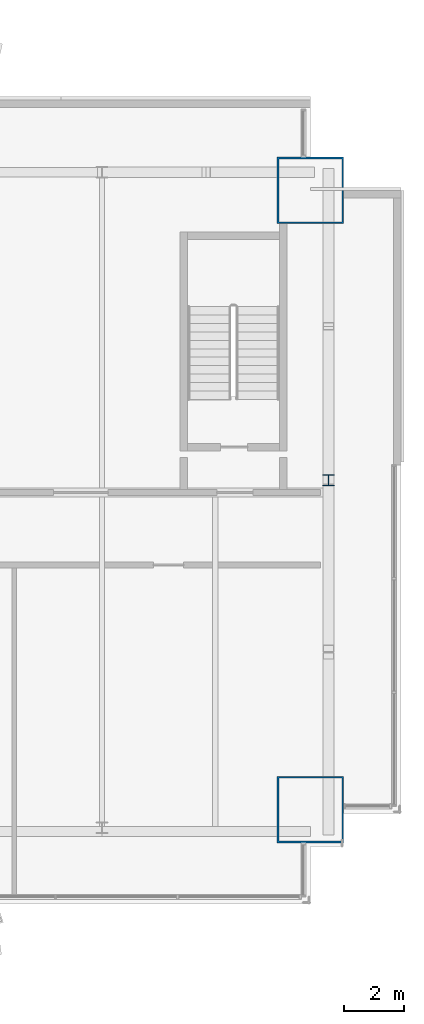
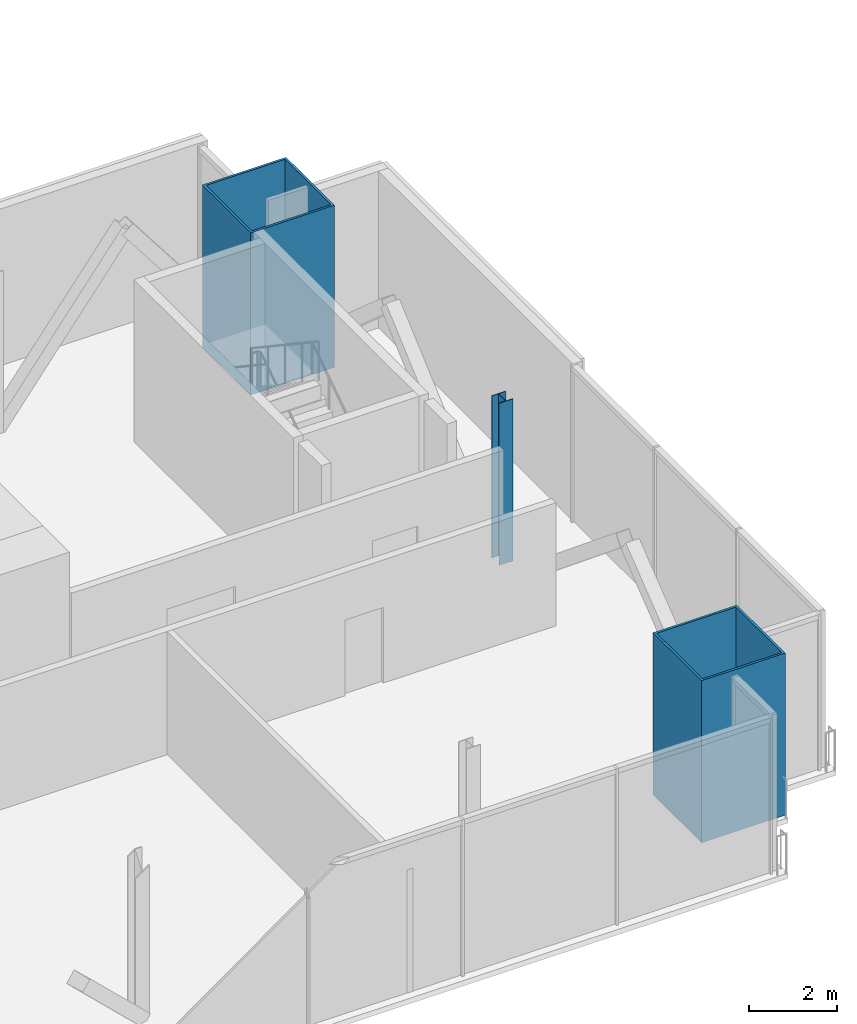
# One storey, part 4 of 20: 3 columns.
"""IFC4 building model written with IfcOpenShell, lengths in metres."""

from ifc_helpers import new_model, si_unit, direction, frame, origin, origin_2d, place, context, subcontext, project, spatial, hollow_rectangle, i_section, extrude, material, material_profile, profile_set, type_object, element, save


model = new_model("IFC4")

# Units and contexts
model_context = context("Model", 3, precision=1e-05, world=origin(), true_north=direction((0.0, 1.0)))
body_context = subcontext(model_context, "Body", "Model", "MODEL_VIEW")
ifc_project = project(units=[si_unit("LENGTHUNIT", "METRE"), si_unit("AREAUNIT", "SQUARE_METRE"), si_unit("VOLUMEUNIT", "CUBIC_METRE"), si_unit("PLANEANGLEUNIT", "RADIAN"), si_unit("MASSUNIT", "GRAM", prefix="KILO")], contexts=[model_context])

# Site, building, storey
site_placement = place(None, origin())
site = spatial("IfcSite", under=ifc_project, at=site_placement, CompositionType="ELEMENT")
building_placement = place(site_placement, origin())
building = spatial("IfcBuilding", under=site, at=building_placement, Name="Bicima Exchange Tower", CompositionType="ELEMENT")
storey_placement = place(building_placement, frame((0.0, 0.0, 306.5)))
storey = spatial("IfcBuildingStorey", under=building, at=storey_placement, Name="L69", CompositionType="ELEMENT", Elevation=306.5)

# Columns
ifc_material_1 = material(Name="Steel ASTM A572 Gr 50", Category="steel")
ifc_material_profile_1 = material_profile(ifc_material_1, hollow_rectangle(XDim=2.199951171875, YDim=2.199951171875, WallThickness=0.06005859375, at=origin_2d()))
ifc_profile_set_1 = profile_set([ifc_material_profile_1], Name="Steel ASTM A572 Gr 50")
column_type_1 = type_object("IfcColumnType", Name="Mega column BOX 2200x2200x60", PredefinedType="COLUMN", material=ifc_profile_set_1)
for number, where, z_axis, x_axis, name in (
    (1, (33.0, -23.506103515625, 0.0), (0.0, 0.0, 1.0), (1.0, 0.0, 0.0), "Mega column mega+33.0f"),
    (2, (33.0, -3.0, 0.0), (0.0, 0.0, 1.0), (1.0, 0.0, 0.0), "Mega column mega+33.0r"),
):
    element("IfcColumn", number, at=place(storey_placement, frame(where, z_axis=z_axis, x_axis=x_axis)), inside=storey, type_object=column_type_1, Name=name, PredefinedType="COLUMN", context=body_context, shape_type="SweptSolid", body=[
        extrude(hollow_rectangle(XDim=2.199951171875, YDim=2.199951171875, WallThickness=0.06005859375, at=origin_2d()), origin(), (0.0, 0.0, 1.0), 4.5),
    ])
ifc_material_2 = material(Name="Steel ASTM A992 Gr 50", Category="steel")
ifc_material_profile_2 = material_profile(ifc_material_2, i_section(OverallWidth=0.368408203125, OverallDepth=0.355712890625, WebThickness=0.01123046875, FlangeThickness=0.01806640625, at=origin_2d()))
ifc_profile_set_2 = profile_set([ifc_material_profile_2], Name="Steel ASTM A992 Gr 50")
column_type_2 = type_object("IfcColumnType", Name="Perimeter column W14x90", PredefinedType="COLUMN", material=ifc_profile_set_2)
column_placement = place(storey_placement, frame((33.60009765625, -12.60009765625, 0.0), z_axis=(0.0, 0.0, 1.0), x_axis=(1.0, 0.0, 0.0)))
element("IfcColumn", 3, at=column_placement, inside=storey, type_object=column_type_2, Name="End column end+33.6e", PredefinedType="COLUMN", context=body_context, shape_type="SweptSolid", body=[
    extrude(i_section(OverallWidth=0.368408203125, OverallDepth=0.355712890625, WebThickness=0.01123046875, FlangeThickness=0.01806640625, at=origin_2d()), origin(), (0.0, 0.0, 1.0), 4.5),
])

save(model, "model.ifc")
